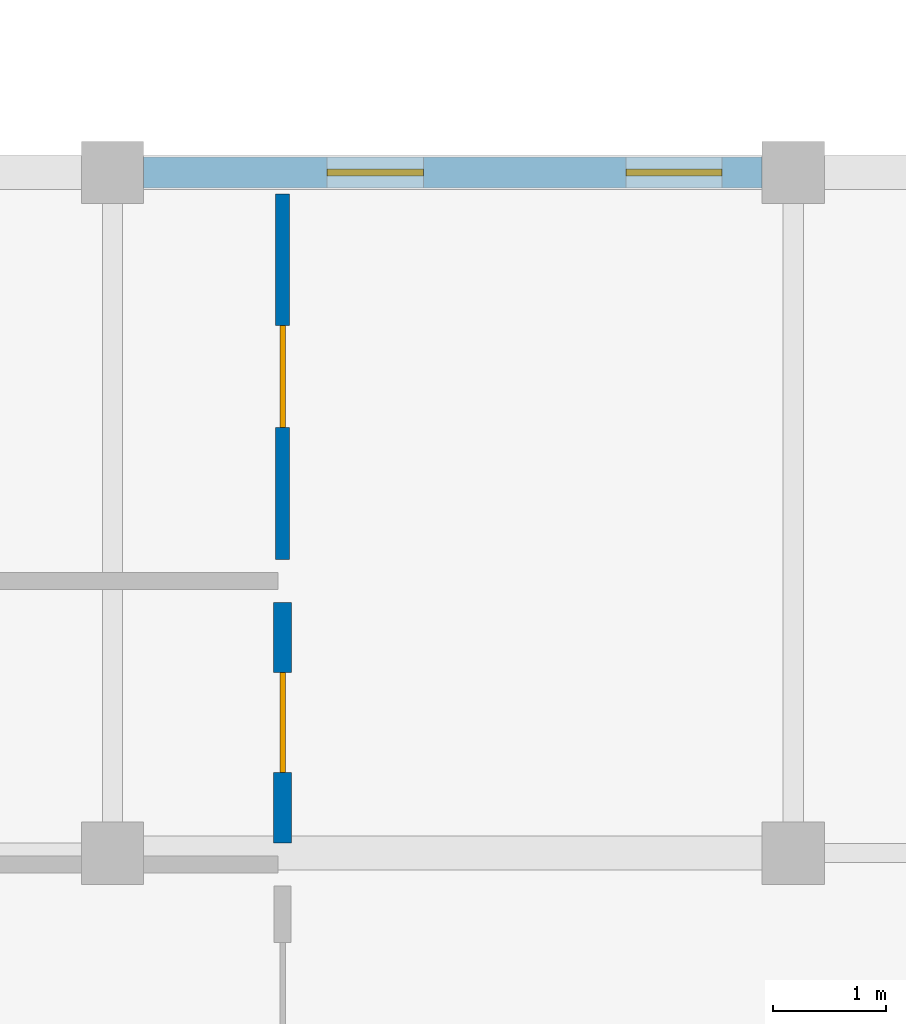
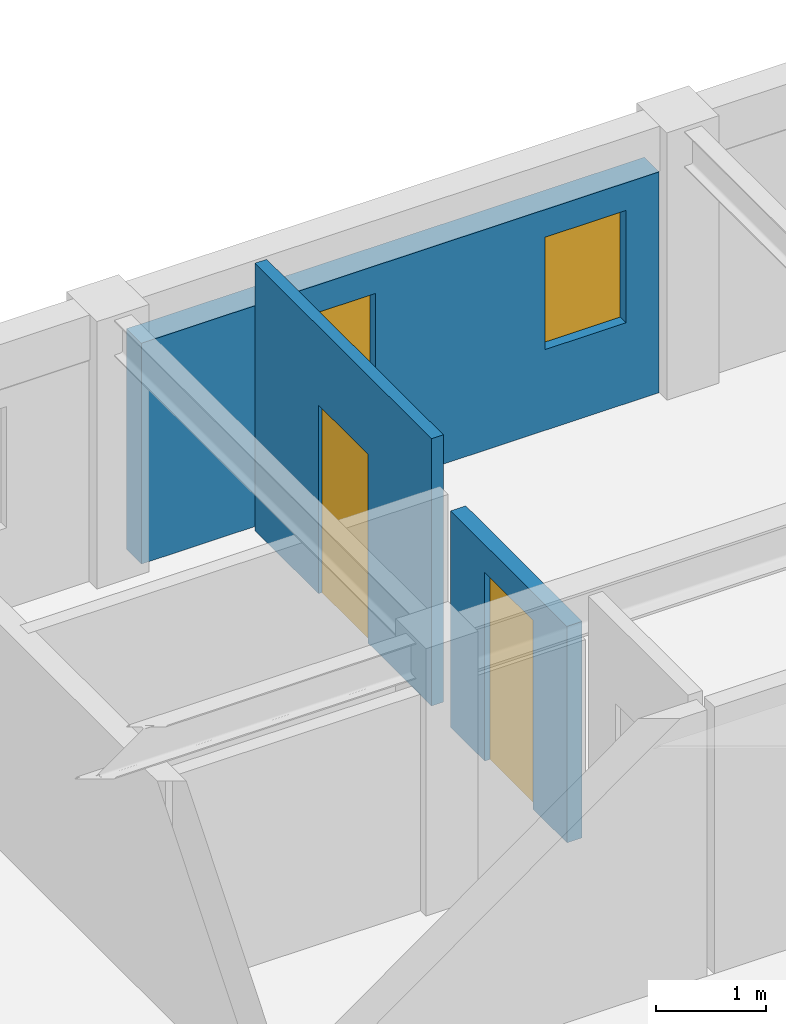
# One storey, part 14 of 28: 3 walls, 2 doors, 2 windows, 4 openings.
"""IFC4 building model written with IfcOpenShell, lengths in metres."""

import ifcopenshell
import ifcopenshell.guid

model = None  # the IFC model being written
_history = None  # IfcOwnerHistory: only IFC2X3 demands one
_inside = {}  # id of a spatial element -> (the spatial element, [elements in it])
_under = {}  # id of a project, library or spatial element -> (it, [spatial elements below it])
_declared = {}  # id of a project -> (the project, [libraries it declares])
_typed = {}  # id of a type object -> (the type object, [elements of that type])
_made_of = {}  # id of a material, layer set ... -> (it, [elements and type objects made of it])


def new_model(schema):
    """Start an empty IFC model of exactly this schema.

    Asked for "IFC4X3", IfcOpenShell would pick the latest addendum, in which some entities
    have other attributes; the version numbers below select the first issue.
    IFC2X3 requires an IfcOwnerHistory on every rooted entity: one is made here for all.
    """
    global model, _history
    if schema == "IFC4X3":
        model = ifcopenshell.file(schema_version=(4, 3, 0, 0))
    else:
        model = ifcopenshell.file(schema=schema)
    _inside.clear()
    _under.clear()
    _declared.clear()
    _typed.clear()
    _made_of.clear()
    _history = None
    if model.schema == "IFC2X3":
        org = make("IfcOrganization", Name="unknown")
        user = make(
            "IfcPersonAndOrganization",
            ThePerson=make("IfcPerson", FamilyName="unknown"),
            TheOrganization=org,
        )
        app = make(
            "IfcApplication",
            ApplicationDeveloper=org,
            Version="unknown",
            ApplicationFullName="unknown",
            ApplicationIdentifier="unknown",
        )
        _history = make(
            "IfcOwnerHistory",
            OwningUser=user,
            OwningApplication=app,
            ChangeAction="ADDED",
            CreationDate=0,
        )
    return model


def make(cls, **values):
    """One entity of the class cls with the attributes given. An attribute that is None is left unset."""
    return model.create_entity(
        cls, **{name: value for name, value in values.items() if value is not None}
    )


def rooted(cls, **values):
    """An entity with a GlobalId (a new one), such as an element, a storey or a relation."""
    return make(cls, GlobalId=ifcopenshell.guid.new(), OwnerHistory=_history, **values)


def si_unit(unit_type, name, prefix=None):
    """IfcSIUnit, for example si_unit("LENGTHUNIT", "METRE", prefix="MILLI")."""
    return make("IfcSIUnit", UnitType=unit_type, Prefix=prefix, Name=name)


def assignment(units):
    """IfcUnitAssignment: the units of a project."""
    return None if units is None else make("IfcUnitAssignment", Units=units)


def point(xyz):
    """IfcCartesianPoint."""
    return None if xyz is None else make("IfcCartesianPoint", Coordinates=xyz)


def direction(xyz):
    """IfcDirection."""
    return None if xyz is None else make("IfcDirection", DirectionRatios=xyz)


def frame(location, z_axis=None, x_axis=None):
    """IfcAxis2Placement3D, a coordinate frame: its origin and axes. An axis left out is left unset."""
    return make(
        "IfcAxis2Placement3D",
        Location=point(location),
        Axis=direction(z_axis),
        RefDirection=direction(x_axis),
    )


def frame_2d(location, x_axis=None):
    """IfcAxis2Placement2D, a coordinate frame in the plane: its origin and x axis."""
    return make(
        "IfcAxis2Placement2D", Location=point(location), RefDirection=direction(x_axis)
    )


def origin():
    """The frame at (0, 0, 0) with its axes left unset."""
    return frame((0.0, 0.0, 0.0))


def place(relative_to, where):
    """IfcLocalPlacement: puts the frame where relative to a parent placement (None: the world)."""
    return make(
        "IfcLocalPlacement", PlacementRelTo=relative_to, RelativePlacement=where
    )


def context(
    kind, dimensions, precision=None, world=None, true_north=None, identifier=None
):
    """IfcGeometricRepresentationContext, for example the 3D "Model" context."""
    return make(
        "IfcGeometricRepresentationContext",
        ContextIdentifier=identifier,
        ContextType=kind,
        CoordinateSpaceDimension=dimensions,
        Precision=precision,
        WorldCoordinateSystem=world,
        TrueNorth=true_north,
    )


def subcontext(parent, identifier, kind, view, scale=None):
    """IfcGeometricRepresentationSubContext, for example "Body" below "Model"."""
    return make(
        "IfcGeometricRepresentationSubContext",
        ContextIdentifier=identifier,
        ContextType=kind,
        ParentContext=parent,
        TargetScale=scale,
        TargetView=view,
    )


def project(units=None, contexts=None):
    """IfcProject with its units and contexts."""
    return rooted(
        "IfcProject",
        Name="project",
        RepresentationContexts=contexts,
        UnitsInContext=assignment(units),
    )


def spatial(cls, under=None, at=None, **own):
    """A site, building, storey or space (cls), placed at a placement, below another one or the project."""
    s = rooted(cls, ObjectPlacement=at, **own)
    if under is not None:
        _under.setdefault(under.id(), (under, []))[1].append(s)
    return s


def profile(cls, at=None, kind="AREA", **sizes):
    """A parametric profile (cls). Its sizes go by their IFC names, for example OverallWidth=200.0."""
    return make(cls, ProfileType=kind, Position=at, **sizes)


def rectangle(**sizes):
    """IfcRectangleProfileDef."""
    return profile("IfcRectangleProfileDef", **sizes)


def extrude(swept, where, along, depth):
    """IfcExtrudedAreaSolid: the profile swept, set in the frame where, extruded along a direction by depth."""
    return make(
        "IfcExtrudedAreaSolid",
        SweptArea=swept,
        Position=where,
        ExtrudedDirection=direction(along),
        Depth=depth,
    )


def shape(context_of_items, identifier, shape_type, items):
    """IfcShapeRepresentation: the items that make up one representation, for example the "Body"."""
    return make(
        "IfcShapeRepresentation",
        ContextOfItems=context_of_items,
        RepresentationIdentifier=identifier,
        RepresentationType=shape_type,
        Items=items,
    )


def material(Name=None, Category=None):
    """IfcMaterial."""
    return make("IfcMaterial", Name=Name, Category=Category)


def layer(
    of_material, thickness, ventilated=None, Name=None, Category=None, Priority=None
):
    """IfcMaterialLayer: one layer of a wall or slab, of a material (None: an air gap)."""
    return make(
        "IfcMaterialLayer",
        Material=of_material,
        LayerThickness=thickness,
        IsVentilated=ventilated,
        Name=Name,
        Category=Category,
        Priority=Priority,
    )


def layer_set(layers, Name=None):
    """IfcMaterialLayerSet."""
    return make("IfcMaterialLayerSet", MaterialLayers=layers, LayerSetName=Name)


def made_of(thing, what):
    """Note that an element or type object is made of a material, layer set ...; save() writes the relation."""
    if what is not None:
        _made_of.setdefault(what.id(), (what, []))[1].append(thing)
    return thing


def type_object(cls, material=None, **own):
    """A type object (cls), such as IfcWallType, which elements share."""
    return made_of(rooted(cls, **own), material)


def element(
    cls,
    number,
    at=None,
    inside=None,
    cuts=None,
    type_object=None,
    material=None,
    context=None,
    identifier="Body",
    shape_type=None,
    held_by="IfcProductDefinitionShape",
    body=None,
    shapes=None,
    **own,
):
    """One element of the class cls, such as IfcWall. Its Tag is "e" and its number.

    at: its placement. inside: the storey or other place that contains it. cuts: it is an
    opening in that element (IfcRelVoidsElement). A single representation is given by context,
    identifier, shape_type and body (its items); several are given by shapes. held_by: the class
    of the entity that holds the representations. save() writes the other relations.
    """
    e = rooted(cls, Tag="e%d" % number, ObjectPlacement=at, **own)
    if body is not None:
        shapes = [shape(context, identifier, shape_type, body)]
    if shapes is not None:
        e.Representation = make(held_by, Representations=shapes)
    if inside is not None:
        _inside.setdefault(inside.id(), (inside, []))[1].append(e)
    if cuts is not None:
        rooted(
            "IfcRelVoidsElement", RelatingBuildingElement=cuts, RelatedOpeningElement=e
        )
    if type_object is not None:
        _typed.setdefault(type_object.id(), (type_object, []))[1].append(e)
    return made_of(e, material)


def fill(opening, filler):
    """IfcRelFillsElement: the door or window that sits in an opening."""
    return rooted(
        "IfcRelFillsElement",
        RelatingOpeningElement=opening,
        RelatedBuildingElement=filler,
    )


def aggregate(whole, parts):
    """IfcRelAggregates: a whole, such as a stair, and the parts it consists of."""
    return rooted("IfcRelAggregates", RelatingObject=whole, RelatedObjects=parts)


def save(model, path):
    """Write the relations noted so far, then the file.

    IfcRelAggregates (storeys below a building ...), IfcRelContainedInSpatialStructure (elements
    in a storey), IfcRelDefinesByType, IfcRelAssociatesMaterial and IfcRelDeclares: one each for
    every whole, place, type object, material and project.
    """
    for whole, parts in _under.values():
        aggregate(whole, parts)
    for where, things in _inside.values():
        rooted(
            "IfcRelContainedInSpatialStructure",
            RelatedElements=things,
            RelatingStructure=where,
        )
    for kind, things in _typed.values():
        rooted("IfcRelDefinesByType", RelatedObjects=things, RelatingType=kind)
    for what, things in _made_of.values():
        rooted("IfcRelAssociatesMaterial", RelatedObjects=things, RelatingMaterial=what)
    for by, libraries in _declared.values():
        rooted("IfcRelDeclares", RelatingContext=by, RelatedDefinitions=libraries)
    model.write(path)


model = new_model("IFC4")

# Units and contexts
model_context = context("Model", 3, precision=1e-05, world=origin(), true_north=direction((0.0, 1.0)))
body_context = subcontext(model_context, "Body", "Model", "MODEL_VIEW")
ifc_project = project(units=[si_unit("LENGTHUNIT", "METRE"), si_unit("AREAUNIT", "SQUARE_METRE"), si_unit("VOLUMEUNIT", "CUBIC_METRE"), si_unit("PLANEANGLEUNIT", "RADIAN"), si_unit("MASSUNIT", "GRAM", prefix="KILO"), si_unit("POWERUNIT", "WATT"), si_unit("THERMODYNAMICTEMPERATUREUNIT", "KELVIN")], contexts=[model_context])

# Site, building, storey
site_placement = place(None, origin())
site = spatial("IfcSite", under=ifc_project, at=site_placement, CompositionType="ELEMENT")
building_placement = place(site_placement, origin())
building = spatial("IfcBuilding", under=site, at=building_placement, Name="Ruvembo Vaulted Housing Court", CompositionType="ELEMENT")
storey_placement = place(building_placement, frame((0.0, 0.0, 23.699951171875)))
storey = spatial("IfcBuildingStorey", under=building, at=storey_placement, Name="L07", CompositionType="ELEMENT", Elevation=23.699951171875)

# Wall, openings, windows
ifc_material_1 = material(Name="Rendered Masonry 270", Category="masonry")
ifc_layer_1 = layer(ifc_material_1, 0.27001953125, Name="Rendered Masonry 270")
ifc_layer_set_1 = layer_set([ifc_layer_1], Name="Rendered Masonry 270")
wall_type_1 = type_object("IfcWallType", Name="WL-EXT-270", PredefinedType="STANDARD", material=ifc_layer_set_1)
wall_1_placement = place(storey_placement, frame((125.72509765625, 30.0, 0.0), z_axis=(0.0, 0.0, 1.0), x_axis=(-1.0, 0.0, 0.0)))
wall_1 = element("IfcWall", 1, at=wall_1_placement, inside=storey, type_object=wall_type_1, Name="Block C L07 Exterior Wall COURTYARD #2", PredefinedType="STANDARD", context=body_context, shape_type="SweptSolid", body=[
    extrude(rectangle(XDim=5.4501953125, YDim=0.27001953125, at=frame_2d((2.72509765625, 0.0))), origin(), (0.0, 0.0, 1.0), 2.45703125),
])
opening_1_placement = place(wall_1_placement, frame((0.35009765625, 0.0, 0.89990234375)))
opening_1 = element("IfcOpeningElement", 2, at=opening_1_placement, cuts=wall_1, Name="Opening W03", PredefinedType="OPENING", context=body_context, shape_type="SweptSolid", body=[
    extrude(rectangle(XDim=0.85009765625, YDim=1.25, at=frame_2d((0.425048828125, 0.625))), frame((0.0, 0.14501953125, 0.0), z_axis=(0.0, -1.0, 0.0), x_axis=(1.0, 0.0, 0.0)), (0.0, 0.0, 1.0), 0.2900390625),
])
opening_2_placement = place(wall_1_placement, frame((2.985107421875, 0.0, 0.89990234375)))
opening_2 = element("IfcOpeningElement", 3, at=opening_2_placement, cuts=wall_1, Name="Opening W03", PredefinedType="OPENING", context=body_context, shape_type="SweptSolid", body=[
    extrude(rectangle(XDim=0.85009765625, YDim=1.25, at=frame_2d((0.425048828125, 0.625))), frame((0.0, 0.14501953125, 0.0), z_axis=(0.0, -1.0, 0.0), x_axis=(1.0, 0.0, 0.0)), (0.0, 0.0, 1.0), 0.2900390625),
])
ifc_material_2 = material(Name="Double Solar-Control Glazing in Aluminium Frame", Category="aluminium")
window_type = type_object("IfcWindowType", Name="WIN-0850x1250", PartitioningType="SINGLE_PANEL", PredefinedType="WINDOW", material=ifc_material_2)
window_1_placement = place(opening_1_placement, origin())
window_1 = element("IfcWindow", 4, at=window_1_placement, inside=storey, type_object=window_type, Name="Block C L07 Window #1387", OverallHeight=1.25, OverallWidth=0.85009765625, PartitioningType="SINGLE_PANEL", PredefinedType="WINDOW", context=body_context, shape_type="SweptSolid", body=[
    extrude(rectangle(XDim=0.85009765625, YDim=1.25, at=frame_2d((0.425048828125, 0.625))), frame((0.0, 0.030029296875, 0.0), z_axis=(0.0, -1.0, 0.0), x_axis=(1.0, 0.0, 0.0)), (0.0, 0.0, 1.0), 0.06005859375),
])
fill(opening_1, window_1)
window_2_placement = place(opening_2_placement, origin())
window_2 = element("IfcWindow", 5, at=window_2_placement, inside=storey, type_object=window_type, Name="Block C L07 Window #1388", OverallHeight=1.25, OverallWidth=0.85009765625, PartitioningType="SINGLE_PANEL", PredefinedType="WINDOW", context=body_context, shape_type="SweptSolid", body=[
    extrude(rectangle(XDim=0.85009765625, YDim=1.25, at=frame_2d((0.425048828125, 0.625))), frame((0.0, 0.030029296875, 0.0), z_axis=(0.0, -1.0, 0.0), x_axis=(1.0, 0.0, 0.0)), (0.0, 0.0, 1.0), 0.06005859375),
])
fill(opening_2, window_2)

# Wall, opening, door
ifc_material_3 = material(Name="Plasterboard Stud Partition 125", Category="gypsum")
ifc_layer_2 = layer(ifc_material_3, 0.125, Name="Plasterboard Stud Partition 125")
ifc_layer_set_2 = layer_set([ifc_layer_2], Name="Plasterboard Stud Partition 125")
wall_type_2 = type_object("IfcWallType", Name="WL-PART-125", PredefinedType="PARTITIONING", material=ifc_layer_set_2)
wall_2_placement = place(storey_placement, frame((121.5, 26.590087890625, 0.0), z_axis=(0.0, 0.0, 1.0), x_axis=(0.0, 1.0, 0.0)))
wall_2 = element("IfcWall", 6, at=wall_2_placement, inside=storey, type_object=wall_type_2, Name="L07 Flat C-L07-N2 Bedroom 1 WL-INT-L07-01966", PredefinedType="PARTITIONING", context=body_context, shape_type="SweptSolid", body=[
    extrude(rectangle(XDim=3.219970703125, YDim=0.125, at=frame_2d((1.60986328125, 0.0))), origin(), (0.0, 0.0, 1.0), 2.97509765625),
])
opening_3_placement = place(wall_2_placement, frame((1.159912109375, 0.0, 0.0)))
opening_3 = element("IfcOpeningElement", 7, at=opening_3_placement, cuts=wall_2, Name="Opening ID1", PredefinedType="OPENING", context=body_context, shape_type="SweptSolid", body=[
    extrude(rectangle(XDim=0.89990234375, YDim=2.10009765625, at=frame_2d((0.449951171875, 1.050048828125))), frame((0.0, 0.072509765625, 0.0), z_axis=(0.0, -1.0, 0.0), x_axis=(1.0, 0.0, 0.0)), (0.0, 0.0, 1.0), 0.14501953125),
])
ifc_material_4 = material(Name="FSC Hardwood and Engineered Timber", Category="wood")
door_type_1 = type_object("IfcDoorType", Name="DR-ROOM-0900x2100", OperationType="NOTDEFINED", PredefinedType="DOOR", material=ifc_material_4)
door_1_placement = place(opening_3_placement, origin())
door_1 = element("IfcDoor", 8, at=door_1_placement, inside=storey, type_object=door_type_1, Name="L07 Flat C-L07-N2 Bedroom 1 Door DR-INT-L07-01102", OperationType="SINGLE_SWING_RIGHT", OverallHeight=2.10009765625, OverallWidth=0.89990234375, PredefinedType="DOOR", context=body_context, shape_type="SweptSolid", body=[
    extrude(rectangle(XDim=0.89990234375, YDim=2.10009765625, at=frame_2d((0.449951171875, 1.050048828125))), frame((0.0, 0.02490234375, 0.0), z_axis=(0.0, -1.0, 0.0), x_axis=(1.0, 0.0, 0.0)), (0.0, 0.0, 1.0), 0.050048828125),
])
fill(opening_3, door_1)

ifc_material_5 = material(Name="Acoustic Service Chase Wall 160", Category="gypsum")
ifc_layer_3 = layer(ifc_material_5, 0.159912109375, Name="Acoustic Service Chase Wall 160")
ifc_layer_set_3 = layer_set([ifc_layer_3], Name="Acoustic Service Chase Wall 160")
wall_type_3 = type_object("IfcWallType", Name="WL-PLUMB-160", PredefinedType="PLUMBINGWALL", material=ifc_layer_set_3)
wall_3_placement = place(storey_placement, frame((121.5, 24.090087890625, 0.0), z_axis=(0.0, 0.0, 1.0), x_axis=(0.0, 1.0, 0.0)))
wall_3 = element("IfcWall", 9, at=wall_3_placement, inside=storey, type_object=wall_type_3, Name="L07 Flat C-L07-N2 Kitchen WL-INT-L07-01967", PredefinedType="PLUMBINGWALL", context=body_context, shape_type="SweptSolid", body=[
    extrude(rectangle(XDim=2.119873046875, YDim=0.159912109375, at=frame_2d((1.06005859375, 0.0))), origin(), (0.0, 0.0, 1.0), 2.407958984375),
])
opening_4_placement = place(wall_3_placement, frame((0.6201171875, 0.0, 0.0)))
opening_4 = element("IfcOpeningElement", 10, at=opening_4_placement, cuts=wall_3, Name="Opening ID3", PredefinedType="OPENING", context=body_context, shape_type="SweptSolid", body=[
    extrude(rectangle(XDim=0.8798828125, YDim=2.10009765625, at=frame_2d((0.43994140625, 1.050048828125))), frame((0.0, 0.08984375, 0.0), z_axis=(0.0, -1.0, 0.0), x_axis=(1.0, 0.0, 0.0)), (0.0, 0.0, 1.0), 0.179931640625),
])
door_type_2 = type_object("IfcDoorType", Name="DR-ROOM-0880x2100", OperationType="NOTDEFINED", PredefinedType="DOOR", material=ifc_material_4)
door_2_placement = place(opening_4_placement, origin())
door_2 = element("IfcDoor", 11, at=door_2_placement, inside=storey, type_object=door_type_2, Name="L07 Flat C-L07-N2 Kitchen Door DR-INT-L07-01103", OperationType="SINGLE_SWING_LEFT", OverallHeight=2.10009765625, OverallWidth=0.8798828125, PredefinedType="DOOR", context=body_context, shape_type="SweptSolid", body=[
    extrude(rectangle(XDim=0.8798828125, YDim=2.10009765625, at=frame_2d((0.43994140625, 1.050048828125))), frame((0.0, 0.02490234375, 0.0), z_axis=(0.0, -1.0, 0.0), x_axis=(1.0, 0.0, 0.0)), (0.0, 0.0, 1.0), 0.050048828125),
])
fill(opening_4, door_2)

save(model, "model.ifc")
